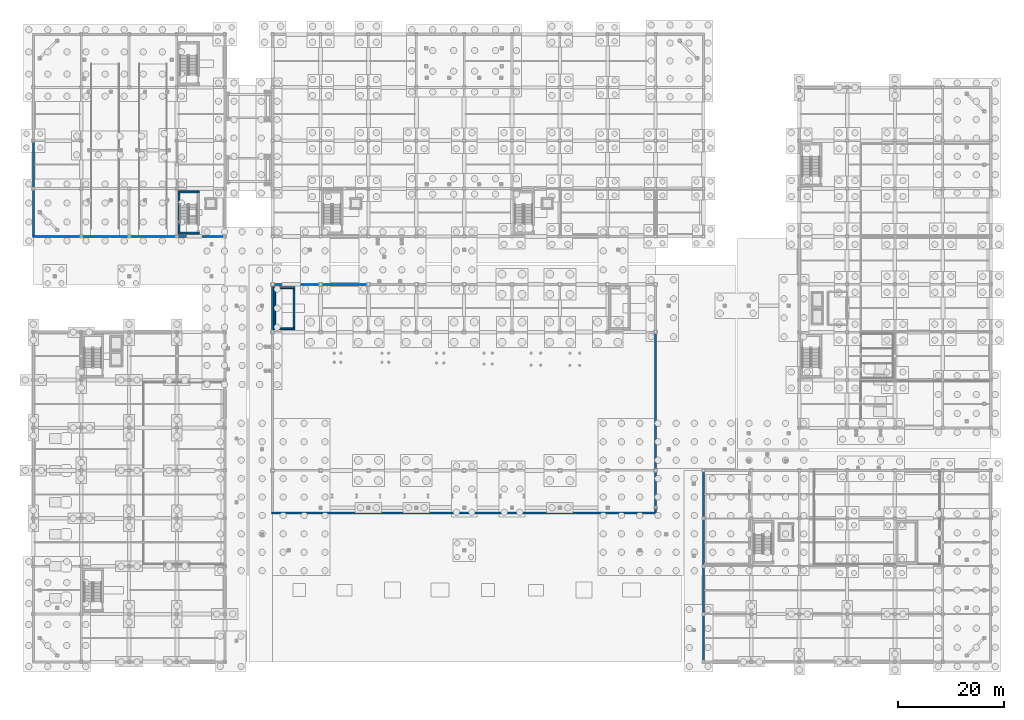
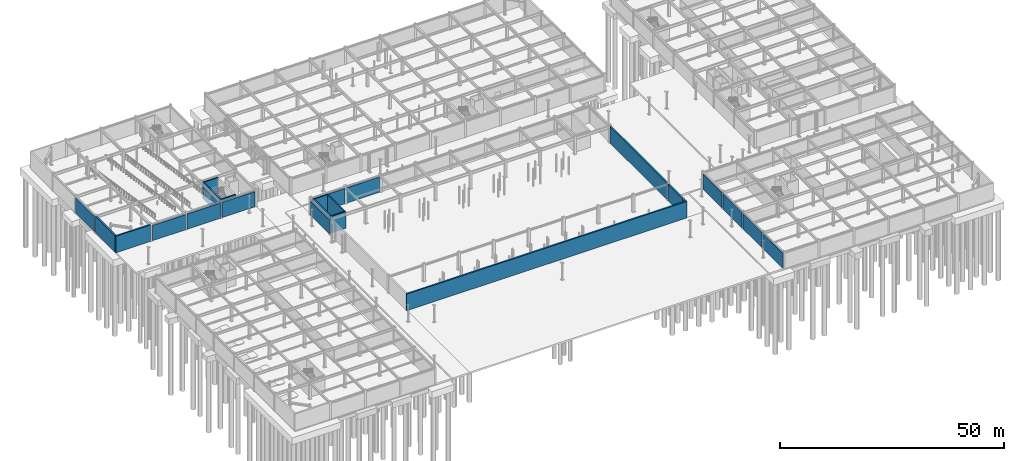
# One storey, part 53 of 74: 24 walls.
"""IFC4 building model written with IfcOpenShell, lengths in metres."""

from ifc_helpers import new_model, si_unit, direction, frame, frame_2d, origin, place, context, subcontext, project, spatial, rectangle, extrude, material, layer, layer_set, type_object, element, save


model = new_model("IFC4")

# Units and contexts
model_context = context("Model", 3, precision=1e-05, world=origin(), true_north=direction((0.0, 1.0)))
body_context = subcontext(model_context, "Body", "Model", "MODEL_VIEW")
ifc_project = project(units=[si_unit("LENGTHUNIT", "METRE"), si_unit("AREAUNIT", "SQUARE_METRE"), si_unit("VOLUMEUNIT", "CUBIC_METRE"), si_unit("PLANEANGLEUNIT", "RADIAN"), si_unit("MASSUNIT", "GRAM", prefix="KILO")], contexts=[model_context])

# Site, building, storey
site_placement = place(None, origin())
site = spatial("IfcSite", under=ifc_project, at=site_placement, CompositionType="ELEMENT")
building_placement = place(site_placement, origin())
building = spatial("IfcBuilding", under=site, at=building_placement, Name="Suzunagisa Mobility Hub", CompositionType="ELEMENT")
storey_placement = place(building_placement, frame((0.0, 0.0, -4.800048828125)))
storey = spatial("IfcBuildingStorey", under=building, at=storey_placement, Name="B1", CompositionType="ELEMENT", Elevation=-4.800048828125)

# Walls
ifc_material = material(Name="Concrete C35/45", Category="concrete")
ifc_layer_1 = layer(ifc_material, 0.3798828125)
ifc_layer_set_1 = layer_set([ifc_layer_1], Name="Concrete C35/45")
wall_type_1 = type_object("IfcWallType", Name="Exterior Wall EW-06 380mm", PredefinedType="USERDEFINED", material=ifc_layer_set_1)
wall_1_placement = place(storey_placement, frame((44.81005859375, 28.0, 0.0), z_axis=(0.0, 0.0, 1.0), x_axis=(1.0, 0.0, 0.0)))
element("IfcWall", 1, at=wall_1_placement, inside=storey, type_object=wall_type_1, Name="B1 Perimeter Retaining Wall RW-56", ObjectType="RETAINING WALL", PredefinedType="USERDEFINED", context=body_context, shape_type="SweptSolid", body=[
    extrude(rectangle(XDim=72.3798828125, YDim=0.3798828125, at=frame_2d((36.18994140625, 0.0))), origin(), (0.0, 0.0, 1.0), 4.52001953125),
])
wall_2_placement = place(storey_placement, frame((117.0, 28.18994140625, 0.0), z_axis=(0.0, 0.0, 1.0), x_axis=(0.0, 1.0, 0.0)))
element("IfcWall", 2, at=wall_2_placement, inside=storey, type_object=wall_type_1, Name="B1 Perimeter Retaining Wall RW-57", ObjectType="RETAINING WALL", PredefinedType="USERDEFINED", context=body_context, shape_type="SweptSolid", body=[
    extrude(rectangle(XDim=0.65087890625, YDim=0.3798828125, at=frame_2d((0.325439453125, 0.0))), origin(), (0.0, 0.0, 1.0), 4.52001953125),
])
wall_3_placement = place(storey_placement, frame((117.0, 29.1591796875, 0.0), z_axis=(0.0, 0.0, 1.0), x_axis=(0.0, 1.0, 0.0)))
element("IfcWall", 3, at=wall_3_placement, inside=storey, type_object=wall_type_1, Name="B1 Perimeter Retaining Wall RW-58", ObjectType="RETAINING WALL", PredefinedType="USERDEFINED", context=body_context, shape_type="SweptSolid", body=[
    extrude(rectangle(XDim=6.540771484375, YDim=0.3798828125, at=frame_2d((3.2705078125, 0.0))), origin(), (0.0, 0.0, 1.0), 4.52001953125),
])
wall_4_placement = place(storey_placement, frame((117.0, 36.300048828125, 0.0), z_axis=(0.0, 0.0, 1.0), x_axis=(0.0, 1.0, 0.0)))
element("IfcWall", 4, at=wall_4_placement, inside=storey, type_object=wall_type_1, Name="B1 Perimeter Retaining Wall RW-59", ObjectType="RETAINING WALL", PredefinedType="USERDEFINED", context=body_context, shape_type="SweptSolid", body=[
    extrude(rectangle(XDim=25.449951171875, YDim=0.3798828125, at=frame_2d((12.72509765625, 0.0))), origin(), (0.0, 0.0, 1.0), 4.52001953125),
])
for number, where, z_axis, x_axis, name in (
    (5, (62.699951171875, 71.0, 0.0), (0.0, 0.0, 1.0), (-1.0, 0.0, 0.0), "B1 Perimeter Retaining Wall RW-67"),
    (6, (53.699951171875, 71.0, 0.0), (0.0, 0.0, 1.0), (-1.0, 0.0, 0.0), "B1 Perimeter Retaining Wall RW-68"),
):
    element("IfcWall", number, at=place(storey_placement, frame(where, z_axis=z_axis, x_axis=x_axis)), inside=storey, type_object=wall_type_1, Name=name, ObjectType="RETAINING WALL", PredefinedType="USERDEFINED", context=body_context, shape_type="SweptSolid", body=[
        extrude(rectangle(XDim=8.39990234375, YDim=0.3798828125, at=frame_2d((4.199951171875, 0.0))), origin(), (0.0, 0.0, 1.0), 4.130126953125),
    ])
wall_5_placement = place(storey_placement, frame((45.0, 70.699951171875, 0.0), z_axis=(0.0, 0.0, 1.0), x_axis=(0.0, -1.0, 0.0)))
element("IfcWall", 7, at=wall_5_placement, inside=storey, type_object=wall_type_1, Name="B1 Perimeter Retaining Wall RW-69", ObjectType="RETAINING WALL", PredefinedType="USERDEFINED", context=body_context, shape_type="SweptSolid", body=[
    extrude(rectangle(XDim=8.449951171875, YDim=0.3798828125, at=frame_2d((4.22509765625, 0.0))), origin(), (0.0, 0.0, 1.0), 3.8701171875),
])
wall_6_placement = place(storey_placement, frame((-0.18994140625, 80.0, 0.0), z_axis=(0.0, 0.0, 1.0), x_axis=(1.0, 0.0, 0.0)))
element("IfcWall", 8, at=wall_6_placement, inside=storey, type_object=wall_type_1, Name="B1 Perimeter Retaining Wall RW-82", ObjectType="RETAINING WALL", PredefinedType="USERDEFINED", context=body_context, shape_type="SweptSolid", body=[
    extrude(rectangle(XDim=8.96484375, YDim=0.3798828125, at=frame_2d((4.482421875, 0.0))), origin(), (0.0, 0.0, 1.0), 4.52001953125),
])
for number, where, z_axis, x_axis, name in (
    (9, (9.22509765625, 80.0, 0.0), (0.0, 0.0, 1.0), (1.0, 0.0, 0.0), "B1 Perimeter Retaining Wall RW-83"),
    (10, (18.22509765625, 80.0, 0.0), (0.0, 0.0, 1.0), (1.0, 0.0, 0.0), "B1 Perimeter Retaining Wall RW-84"),
    (11, (27.22509765625, 80.0, 0.0), (0.0, 0.0, 1.0), (1.0, 0.0, 0.0), "B1 Perimeter Retaining Wall RW-85"),
    (12, (0.0, 97.77490234375, 0.0), (0.0, 0.0, 1.0), (0.0, -1.0, 0.0), "B1 Perimeter Retaining Wall RW-96"),
):
    element("IfcWall", number, at=place(storey_placement, frame(where, z_axis=z_axis, x_axis=x_axis)), inside=storey, type_object=wall_type_1, Name=name, ObjectType="RETAINING WALL", PredefinedType="USERDEFINED", context=body_context, shape_type="SweptSolid", body=[
        extrude(rectangle(XDim=8.5498046875, YDim=0.3798828125, at=frame_2d((4.27490234375, 0.0))), origin(), (0.0, 0.0, 1.0), 4.130126953125),
    ])
wall_7_placement = place(storey_placement, frame((0.0, 88.77490234375, 0.0), z_axis=(0.0, 0.0, 1.0), x_axis=(0.0, -1.0, 0.0)))
element("IfcWall", 13, at=wall_7_placement, inside=storey, type_object=wall_type_1, Name="B1 Perimeter Retaining Wall RW-97", ObjectType="RETAINING WALL", PredefinedType="USERDEFINED", context=body_context, shape_type="SweptSolid", body=[
    extrude(rectangle(XDim=8.5849609375, YDim=0.3798828125, at=frame_2d((4.29248046875, 0.0))), origin(), (0.0, 0.0, 1.0), 4.52001953125),
])
for number, where, z_axis, x_axis, name in (
    (14, (126.0, 35.77490234375, 0.0), (0.0, 0.0, 1.0), (0.0, -1.0, 0.0), "B1 Perimeter Retaining Wall RW-278"),
    (15, (126.0, 26.77490234375, 0.0), (0.0, 0.0, 1.0), (0.0, -1.0, 0.0), "B1 Perimeter Retaining Wall RW-279"),
    (16, (126.0, 17.77490234375, 0.0), (0.0, 0.0, 1.0), (0.0, -1.0, 0.0), "B1 Perimeter Retaining Wall RW-280"),
    (17, (126.0, 8.77490234375, 0.0), (0.0, 0.0, 1.0), (0.0, -1.0, 0.0), "B1 Perimeter Retaining Wall RW-281"),
):
    element("IfcWall", number, at=place(storey_placement, frame(where, z_axis=z_axis, x_axis=x_axis)), inside=storey, type_object=wall_type_1, Name=name, ObjectType="RETAINING WALL", PredefinedType="USERDEFINED", context=body_context, shape_type="SweptSolid", body=[
        extrude(rectangle(XDim=8.5498046875, YDim=0.3798828125, at=frame_2d((4.27490234375, 0.0))), origin(), (0.0, 0.0, 1.0), 4.130126953125),
    ])
ifc_layer_2 = layer(ifc_material, 0.35009765625)
ifc_layer_set_2 = layer_set([ifc_layer_2], Name="Concrete C35/45")
wall_type_2 = type_object("IfcWallType", Name="Interior Wall IW-04 350mm", PredefinedType="SHEAR", material=ifc_layer_set_2)
for number, where, z_axis, x_axis, name in (
    (18, (45.2099609375, 62.625, 0.0), (0.0, 0.0, 1.0), (1.0, 0.0, 0.0), "B1 Core C2 Foundation Shear Wall SW-77"),
    (19, (45.2099609375, 70.375, 0.0), (0.0, 0.0, 1.0), (1.0, 0.0, 0.0), "B1 Core C2 Foundation Shear Wall SW-78"),
):
    element("IfcWall", number, at=place(storey_placement, frame(where, z_axis=z_axis, x_axis=x_axis)), inside=storey, type_object=wall_type_2, Name=name, PredefinedType="SHEAR", context=body_context, shape_type="SweptSolid", body=[
        extrude(rectangle(XDim=3.97998046875, YDim=0.35009765625, at=frame_2d((1.989990234375, 0.0))), origin(), (0.0, 0.0, 1.0), 4.52001953125),
    ])
for number, where, z_axis, x_axis, name in (
    (20, (45.385009765625, 62.800048828125, 0.0), (0.0, 0.0, 1.0), (0.0, 1.0, 0.0), "B1 Core C2 Foundation Shear Wall SW-79"),
    (21, (49.014892578125, 62.800048828125, 0.0), (0.0, 0.0, 1.0), (0.0, 1.0, 0.0), "B1 Core C2 Foundation Shear Wall SW-80"),
):
    element("IfcWall", number, at=place(storey_placement, frame(where, z_axis=z_axis, x_axis=x_axis)), inside=storey, type_object=wall_type_2, Name=name, PredefinedType="SHEAR", context=body_context, shape_type="SweptSolid", body=[
        extrude(rectangle(XDim=7.39990234375, YDim=0.35009765625, at=frame_2d((3.699951171875, 0.0))), origin(), (0.0, 0.0, 1.0), 4.52001953125),
    ])
for number, where, z_axis, x_axis, name in (
    (22, (27.2099609375, 80.625, 0.0), (0.0, 0.0, 1.0), (1.0, 0.0, 0.0), "B1 Core C6 Shear Wall SW-109"),
    (23, (27.2099609375, 88.375, 0.0), (0.0, 0.0, 1.0), (1.0, 0.0, 0.0), "B1 Core C6 Shear Wall SW-110"),
):
    element("IfcWall", number, at=place(storey_placement, frame(where, z_axis=z_axis, x_axis=x_axis)), inside=storey, type_object=wall_type_2, Name=name, PredefinedType="SHEAR", context=body_context, shape_type="SweptSolid", body=[
        extrude(rectangle(XDim=3.97998046875, YDim=0.35009765625, at=frame_2d((1.989990234375, 0.0))), origin(), (0.0, 0.0, 1.0), 4.52001953125),
    ])
wall_8_placement = place(storey_placement, frame((27.385009765625, 80.800048828125, 0.0), z_axis=(0.0, 0.0, 1.0), x_axis=(0.0, 1.0, 0.0)))
element("IfcWall", 24, at=wall_8_placement, inside=storey, type_object=wall_type_2, Name="B1 Core C6 Shear Wall SW-111", PredefinedType="SHEAR", context=body_context, shape_type="SweptSolid", body=[
    extrude(rectangle(XDim=7.39990234375, YDim=0.35009765625, at=frame_2d((3.699951171875, 0.0))), origin(), (0.0, 0.0, 1.0), 4.52001953125),
])

save(model, "model.ifc")
